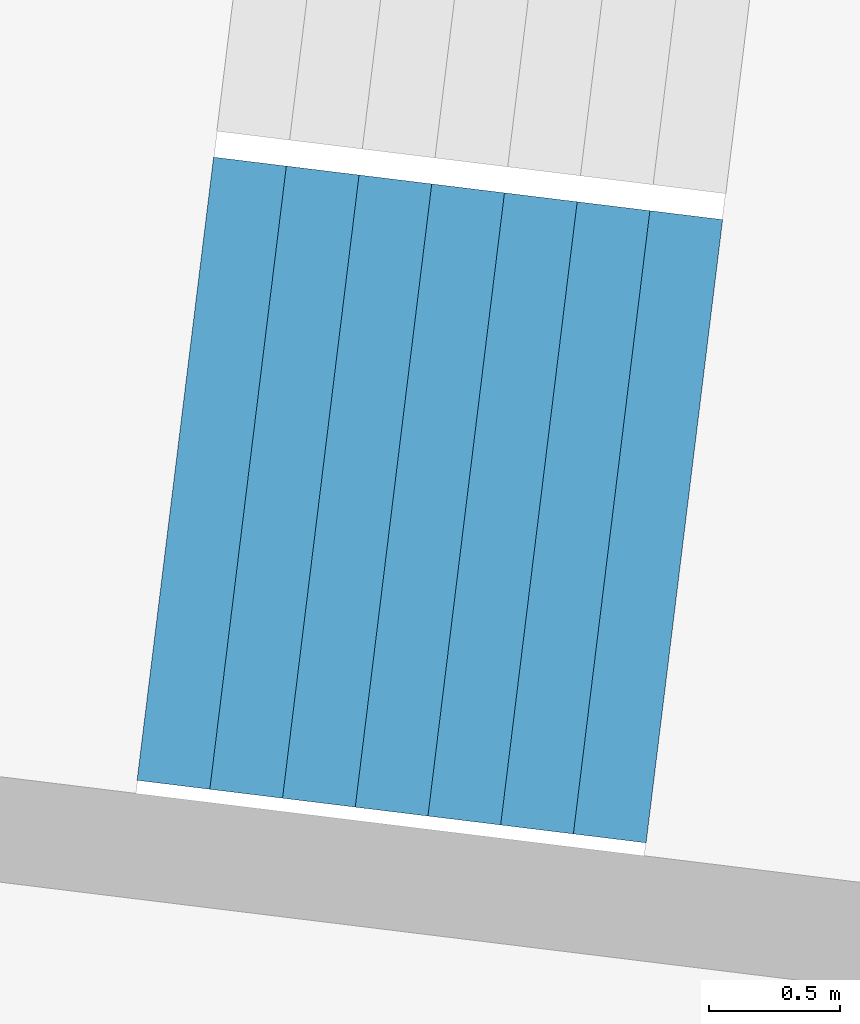
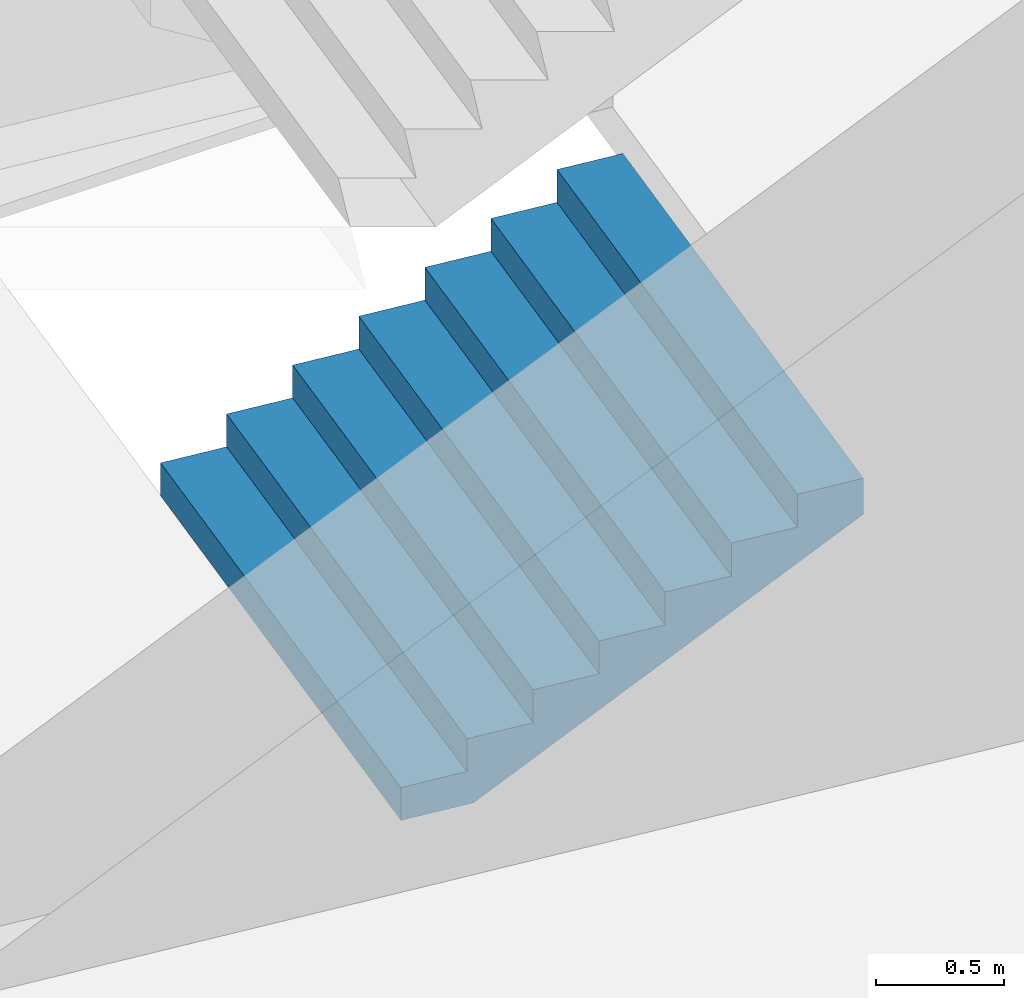
# One storey, part 53 of 73: 1 stair flight, 1 element without a shape of its own.
"""IFC4 building model written with IfcOpenShell, lengths in metres."""

from ifc_helpers import new_model, si_unit, direction, frame, origin, place, context, subcontext, project, spatial, triangles, material, type_object, element, aggregate, save


model = new_model("IFC4")

# Units and contexts
model_context = context("Model", 3, precision=1e-05, world=origin(), true_north=direction((0.0, 1.0)))
body_context = subcontext(model_context, "Body", "Model", "MODEL_VIEW")
ifc_project = project(units=[si_unit("LENGTHUNIT", "METRE"), si_unit("AREAUNIT", "SQUARE_METRE"), si_unit("VOLUMEUNIT", "CUBIC_METRE"), si_unit("PLANEANGLEUNIT", "RADIAN"), si_unit("MASSUNIT", "GRAM", prefix="KILO")], contexts=[model_context])

# Site, building, storey
site_placement = place(None, origin())
site = spatial("IfcSite", under=ifc_project, at=site_placement, CompositionType="ELEMENT")
building_placement = place(site_placement, origin())
building = spatial("IfcBuilding", under=site, at=building_placement, Name="Lantaw Convention Tower", CompositionType="ELEMENT")
storey_placement = place(building_placement, frame((0.0, 0.0, 27.0)))
storey = spatial("IfcBuildingStorey", under=building, at=storey_placement, Name="L04", CompositionType="ELEMENT", Elevation=27.0)

# Stair, stair flight
ifc_material = material(Name="Concrete C35/45", Category="concrete")
stair_type = type_object("IfcStairType", Name="Exit stair 2400 riser 156.25 in 4 flights", PredefinedType="HALF_TURN_STAIR", material=ifc_material)
stair_placement = place(storey_placement, origin())
stair = element("IfcStair", 1, at=stair_placement, inside=storey, type_object=stair_type, Name="Podium exit stair P13 L04", PredefinedType="HALF_TURN_STAIR")
stair_flight_type = type_object("IfcStairFlightType", Name="Stair flight 2400 riser 156.25", PredefinedType="STRAIGHT", material=ifc_material)
stair_flight_placement = place(storey_placement, frame((34.857421875, -5.539306640625, 0.0), z_axis=(0.0, 0.0, 1.0), x_axis=(0.992546151641, -0.121869343405, 0.0)))
stair_flight = element("IfcStairFlight", 2, at=stair_flight_placement, type_object=stair_flight_type, Name="P13 flight 1", NumberOfRisers=8, NumberOfTreads=7, PredefinedType="STRAIGHT", RiserHeight=0.15625, TreadLength=0.28, context=body_context, shape_type="Tessellation", body=[
    triangles([(0.0, 1.199951171875, 0.0), (0.0, 1.199951171875, 0.15625), (0.28, 1.199951171875, 0.0), (0.28, 1.199951171875, 0.15625), (0.28, 1.199951171875, 0.3125), (0.3076200632058044, 1.199951171875, 0.0), (0.3076200632058044, 1.199951171875, 0.3125), (0.56, 1.199951171875, 0.14083701830033238), (0.56, 1.199951171875, 0.3125), (0.56, 1.199951171875, 0.46875), (0.8400000000000001, 1.199951171875, 0.29708701830033235), (0.8400000000000001, 1.199951171875, 0.46875), (0.8400000000000001, 1.199951171875, 0.625), (1.12, 1.199951171875, 0.45333701830033235), (1.12, 1.199951171875, 0.625), (1.12, 1.199951171875, 0.78125), (1.4000000000000001, 1.199951171875, 0.6095870183003324), (1.4000000000000001, 1.199951171875, 0.78125), (1.4000000000000001, 1.199951171875, 0.9375), (1.6800000000000002, 1.199951171875, 0.7658370183003324), (1.6800000000000002, 1.199951171875, 0.9375), (1.6800000000000002, 1.199951171875, 1.09375), (1.9600000000000002, 1.199951171875, 0.9220870183003324), (1.9600000000000002, 1.199951171875, 1.09375), (0.0, -1.199951171875, 0.0), (0.0, -1.199951171875, 0.15625), (0.28, -1.199951171875, 0.0), (0.28, -1.199951171875, 0.15625), (0.28, -1.199951171875, 0.3125), (0.3076200632058044, -1.199951171875, 0.0), (0.3076200632058044, -1.199951171875, 0.3125), (0.56, -1.199951171875, 0.14083701830033238), (0.56, -1.199951171875, 0.3125), (0.56, -1.199951171875, 0.46875), (0.8400000000000001, -1.199951171875, 0.29708701830033235), (0.8400000000000001, -1.199951171875, 0.46875), (0.8400000000000001, -1.199951171875, 0.625), (1.12, -1.199951171875, 0.45333701830033235), (1.12, -1.199951171875, 0.625), (1.12, -1.199951171875, 0.78125), (1.4000000000000001, -1.199951171875, 0.6095870183003324), (1.4000000000000001, -1.199951171875, 0.78125), (1.4000000000000001, -1.199951171875, 0.9375), (1.6800000000000002, -1.199951171875, 0.7658370183003324), (1.6800000000000002, -1.199951171875, 0.9375), (1.6800000000000002, -1.199951171875, 1.09375), (1.9600000000000002, -1.199951171875, 0.9220870183003324), (1.9600000000000002, -1.199951171875, 1.09375), (0.0, 0.239990234375, 0.15625), (0.0, 0.239990234375, 0.0), (0.0, 0.1919921875, 0.15625), (0.0, 0.1919921875, 0.0), (0.0, 0.143994140625, 0.15625), (0.0, 0.143994140625, 0.0), (0.0, 0.09599609375, 0.15625), (0.0, 0.09599609375, 0.0), (0.0, 0.047998046875, 0.15625), (0.0, 0.047998046875, 0.0), (0.0, 0.0, 0.15625), (0.0, 0.0, 0.0), (0.0, -0.047998046875, 0.15625), (0.0, -0.047998046875, 0.0), (0.0, -0.09599609375, 0.15625), (0.0, -0.09599609375, 0.0), (0.0, -0.143994140625, 0.15625), (0.0, -0.143994140625, 0.0), (0.0, -0.1919921875, 0.15625), (0.0, -0.1919921875, 0.0), (0.0, -0.239990234375, 0.15625), (0.0, -0.239990234375, 0.0), (0.28, 0.239990234375, 0.3125), (0.28, 0.239990234375, 0.15625), (0.28, 0.1919921875, 0.3125), (0.28, 0.1919921875, 0.15625), (0.28, 0.143994140625, 0.3125), (0.28, 0.143994140625, 0.15625), (0.28, 0.09599609375, 0.3125), (0.28, 0.09599609375, 0.15625), (0.28, 0.047998046875, 0.3125), (0.28, 0.047998046875, 0.15625), (0.28, 0.0, 0.3125), (0.28, 0.0, 0.15625), (0.28, -0.047998046875, 0.3125), (0.28, -0.047998046875, 0.15625), (0.28, -0.09599609375, 0.3125), (0.28, -0.09599609375, 0.15625), (0.28, -0.143994140625, 0.3125), (0.28, -0.143994140625, 0.15625), (0.28, -0.1919921875, 0.3125), (0.28, -0.1919921875, 0.15625), (0.28, -0.239990234375, 0.3125), (0.28, -0.239990234375, 0.15625), (0.56, 0.239990234375, 0.46875), (0.56, 0.239990234375, 0.3125), (0.56, 0.1919921875, 0.46875), (0.56, 0.1919921875, 0.3125), (0.56, 0.143994140625, 0.46875), (0.56, 0.143994140625, 0.3125), (0.56, 0.09599609375, 0.46875), (0.56, 0.09599609375, 0.3125), (0.56, 0.047998046875, 0.46875), (0.56, 0.047998046875, 0.3125), (0.56, 0.0, 0.46875), (0.56, 0.0, 0.3125), (0.56, -0.047998046875, 0.46875), (0.56, -0.047998046875, 0.3125), (0.56, -0.09599609375, 0.46875), (0.56, -0.09599609375, 0.3125), (0.56, -0.143994140625, 0.46875), (0.56, -0.143994140625, 0.3125), (0.56, -0.1919921875, 0.46875), (0.56, -0.1919921875, 0.3125), (0.56, -0.239990234375, 0.46875), (0.56, -0.239990234375, 0.3125), (0.8400000000000001, 0.239990234375, 0.625), (0.8400000000000001, 0.239990234375, 0.46875), (0.8400000000000001, 0.1919921875, 0.625), (0.8400000000000001, 0.1919921875, 0.46875), (0.8400000000000001, 0.143994140625, 0.625), (0.8400000000000001, 0.143994140625, 0.46875), (0.8400000000000001, 0.09599609375, 0.625), (0.8400000000000001, 0.09599609375, 0.46875), (0.8400000000000001, 0.047998046875, 0.625), (0.8400000000000001, 0.047998046875, 0.46875), (0.8400000000000001, 0.0, 0.625), (0.8400000000000001, 0.0, 0.46875), (0.8400000000000001, -0.047998046875, 0.625), (0.8400000000000001, -0.047998046875, 0.46875), (0.8400000000000001, -0.09599609375, 0.625), (0.8400000000000001, -0.09599609375, 0.46875), (0.8400000000000001, -0.143994140625, 0.625), (0.8400000000000001, -0.143994140625, 0.46875), (0.8400000000000001, -0.1919921875, 0.625), (0.8400000000000001, -0.1919921875, 0.46875), (0.8400000000000001, -0.239990234375, 0.625), (0.8400000000000001, -0.239990234375, 0.46875), (1.12, 0.239990234375, 0.78125), (1.12, 0.239990234375, 0.625), (1.12, 0.1919921875, 0.78125), (1.12, 0.1919921875, 0.625), (1.12, 0.143994140625, 0.78125), (1.12, 0.143994140625, 0.625), (1.12, 0.09599609375, 0.78125), (1.12, 0.09599609375, 0.625), (1.12, 0.047998046875, 0.78125), (1.12, 0.047998046875, 0.625), (1.12, 0.0, 0.78125), (1.12, 0.0, 0.625), (1.12, -0.047998046875, 0.78125), (1.12, -0.047998046875, 0.625), (1.12, -0.09599609375, 0.78125), (1.12, -0.09599609375, 0.625), (1.12, -0.143994140625, 0.78125), (1.12, -0.143994140625, 0.625), (1.12, -0.1919921875, 0.78125), (1.12, -0.1919921875, 0.625), (1.12, -0.239990234375, 0.78125), (1.12, -0.239990234375, 0.625), (1.4000000000000001, 0.239990234375, 0.9375), (1.4000000000000001, 0.239990234375, 0.78125), (1.4000000000000001, 0.1919921875, 0.9375), (1.4000000000000001, 0.1919921875, 0.78125), (1.4000000000000001, 0.143994140625, 0.9375), (1.4000000000000001, 0.143994140625, 0.78125), (1.4000000000000001, 0.09599609375, 0.9375), (1.4000000000000001, 0.09599609375, 0.78125), (1.4000000000000001, 0.047998046875, 0.9375), (1.4000000000000001, 0.047998046875, 0.78125), (1.4000000000000001, 0.0, 0.9375), (1.4000000000000001, 0.0, 0.78125), (1.4000000000000001, -0.047998046875, 0.9375), (1.4000000000000001, -0.047998046875, 0.78125), (1.4000000000000001, -0.09599609375, 0.9375), (1.4000000000000001, -0.09599609375, 0.78125), (1.4000000000000001, -0.143994140625, 0.9375), (1.4000000000000001, -0.143994140625, 0.78125), (1.4000000000000001, -0.1919921875, 0.9375), (1.4000000000000001, -0.1919921875, 0.78125), (1.4000000000000001, -0.239990234375, 0.9375), (1.4000000000000001, -0.239990234375, 0.78125), (1.6800000000000002, 0.239990234375, 1.09375), (1.6800000000000002, 0.239990234375, 0.9375), (1.6800000000000002, 0.1919921875, 1.09375), (1.6800000000000002, 0.1919921875, 0.9375), (1.6800000000000002, 0.143994140625, 1.09375), (1.6800000000000002, 0.143994140625, 0.9375), (1.6800000000000002, 0.09599609375, 1.09375), (1.6800000000000002, 0.09599609375, 0.9375), (1.6800000000000002, 0.047998046875, 1.09375), (1.6800000000000002, 0.047998046875, 0.9375), (1.6800000000000002, 0.0, 1.09375), (1.6800000000000002, 0.0, 0.9375), (1.6800000000000002, -0.047998046875, 1.09375), (1.6800000000000002, -0.047998046875, 0.9375), (1.6800000000000002, -0.09599609375, 1.09375), (1.6800000000000002, -0.09599609375, 0.9375), (1.6800000000000002, -0.143994140625, 1.09375), (1.6800000000000002, -0.143994140625, 0.9375), (1.6800000000000002, -0.1919921875, 1.09375), (1.6800000000000002, -0.1919921875, 0.9375), (1.6800000000000002, -0.239990234375, 1.09375), (1.6800000000000002, -0.239990234375, 0.9375), (0.3076200632058044, 0.239990234375, 0.3125), (0.3076200632058044, 0.1919921875, 0.3125), (0.3076200632058044, 0.143994140625, 0.3125), (0.3076200632058044, 0.09599609375, 0.3125), (0.3076200632058044, 0.047998046875, 0.3125), (0.3076200632058044, 0.0, 0.3125), (0.3076200632058044, -0.047998046875, 0.3125), (0.3076200632058044, -0.09599609375, 0.3125), (0.3076200632058044, -0.143994140625, 0.3125), (0.3076200632058044, -0.1919921875, 0.3125), (0.3076200632058044, -0.239990234375, 0.3125), (1.9600000000000002, 0.239990234375, 1.09375), (1.9600000000000002, 0.1919921875, 1.09375), (1.9600000000000002, 0.143994140625, 1.09375), (1.9600000000000002, 0.09599609375, 1.09375), (1.9600000000000002, 0.047998046875, 1.09375), (1.9600000000000002, 0.0, 1.09375), (1.9600000000000002, -0.047998046875, 1.09375), (1.9600000000000002, -0.09599609375, 1.09375), (1.9600000000000002, -0.143994140625, 1.09375), (1.9600000000000002, -0.1919921875, 1.09375), (1.9600000000000002, -0.239990234375, 1.09375), (1.9600000000000002, 0.239990234375, 0.9220870183003324), (1.9600000000000002, 0.1919921875, 0.9220870183003324), (1.9600000000000002, 0.143994140625, 0.9220870183003324), (1.9600000000000002, 0.09599609375, 0.9220870183003324), (1.9600000000000002, 0.047998046875, 0.9220870183003324), (1.9600000000000002, 0.0, 0.9220870183003324), (1.9600000000000002, -0.047998046875, 0.9220870183003324), (1.9600000000000002, -0.09599609375, 0.9220870183003324), (1.9600000000000002, -0.143994140625, 0.9220870183003324), (1.9600000000000002, -0.1919921875, 0.9220870183003324), (1.9600000000000002, -0.239990234375, 0.9220870183003324), (1.6800000000000002, 0.239990234375, 0.7658370183003324), (1.6800000000000002, 0.1919921875, 0.7658370183003324), (1.6800000000000002, 0.143994140625, 0.7658370183003324), (1.6800000000000002, 0.09599609375, 0.7658370183003324), (1.6800000000000002, 0.047998046875, 0.7658370183003324), (1.6800000000000002, 0.0, 0.7658370183003324), (1.6800000000000002, -0.047998046875, 0.7658370183003324), (1.6800000000000002, -0.09599609375, 0.7658370183003324), (1.6800000000000002, -0.143994140625, 0.7658370183003324), (1.6800000000000002, -0.1919921875, 0.7658370183003324), (1.6800000000000002, -0.239990234375, 0.7658370183003324), (1.4000000000000001, 0.239990234375, 0.6095870183003324), (1.4000000000000001, 0.1919921875, 0.6095870183003324), (1.4000000000000001, 0.143994140625, 0.6095870183003324), (1.4000000000000001, 0.09599609375, 0.6095870183003324), (1.4000000000000001, 0.047998046875, 0.6095870183003324), (1.4000000000000001, 0.0, 0.6095870183003324), (1.4000000000000001, -0.047998046875, 0.6095870183003324), (1.4000000000000001, -0.09599609375, 0.6095870183003324), (1.4000000000000001, -0.143994140625, 0.6095870183003324), (1.4000000000000001, -0.1919921875, 0.6095870183003324), (1.4000000000000001, -0.239990234375, 0.6095870183003324), (1.12, 0.239990234375, 0.45333701830033235), (1.12, 0.1919921875, 0.45333701830033235), (1.12, 0.143994140625, 0.45333701830033235), (1.12, 0.09599609375, 0.45333701830033235), (1.12, 0.047998046875, 0.45333701830033235), (1.12, 0.0, 0.45333701830033235), (1.12, -0.047998046875, 0.45333701830033235), (1.12, -0.09599609375, 0.45333701830033235), (1.12, -0.143994140625, 0.45333701830033235), (1.12, -0.1919921875, 0.45333701830033235), (1.12, -0.239990234375, 0.45333701830033235), (0.8400000000000001, 0.239990234375, 0.29708701830033235), (0.8400000000000001, 0.1919921875, 0.29708701830033235), (0.8400000000000001, 0.143994140625, 0.29708701830033235), (0.8400000000000001, 0.09599609375, 0.29708701830033235), (0.8400000000000001, 0.047998046875, 0.29708701830033235), (0.8400000000000001, 0.0, 0.29708701830033235), (0.8400000000000001, -0.047998046875, 0.29708701830033235), (0.8400000000000001, -0.09599609375, 0.29708701830033235), (0.8400000000000001, -0.143994140625, 0.29708701830033235), (0.8400000000000001, -0.1919921875, 0.29708701830033235), (0.8400000000000001, -0.239990234375, 0.29708701830033235), (0.56, 0.239990234375, 0.14083701830033238), (0.56, 0.1919921875, 0.14083701830033238), (0.56, 0.143994140625, 0.14083701830033238), (0.56, 0.09599609375, 0.14083701830033238), (0.56, 0.047998046875, 0.14083701830033238), (0.56, 0.0, 0.14083701830033238), (0.56, -0.047998046875, 0.14083701830033238), (0.56, -0.09599609375, 0.14083701830033238), (0.56, -0.143994140625, 0.14083701830033238), (0.56, -0.1919921875, 0.14083701830033238), (0.56, -0.239990234375, 0.14083701830033238), (0.3076200632058044, 0.239990234375, 0.0), (0.3076200632058044, 0.1919921875, 0.0), (0.3076200632058044, 0.143994140625, 0.0), (0.3076200632058044, 0.09599609375, 0.0), (0.3076200632058044, 0.047998046875, 0.0), (0.3076200632058044, 0.0, 0.0), (0.3076200632058044, -0.047998046875, 0.0), (0.3076200632058044, -0.09599609375, 0.0), (0.3076200632058044, -0.143994140625, 0.0), (0.3076200632058044, -0.1919921875, 0.0), (0.3076200632058044, -0.239990234375, 0.0), (0.28, 0.239990234375, 0.0), (0.28, 0.1919921875, 0.0), (0.28, 0.143994140625, 0.0), (0.28, 0.09599609375, 0.0), (0.28, 0.047998046875, 0.0), (0.28, 0.0, 0.0), (0.28, -0.047998046875, 0.0), (0.28, -0.09599609375, 0.0), (0.28, -0.143994140625, 0.0), (0.28, -0.1919921875, 0.0), (0.28, -0.239990234375, 0.0)], [[1, 4, 3], [1, 2, 4], [3, 4, 6], [4, 7, 6], [4, 5, 7], [6, 9, 8], [6, 7, 9], [8, 9, 11], [9, 12, 11], [9, 10, 12], [11, 12, 14], [12, 15, 14], [12, 13, 15], [14, 15, 17], [15, 18, 17], [15, 16, 18], [17, 18, 20], [18, 21, 20], [18, 19, 21], [20, 21, 23], [21, 24, 23], [21, 22, 24], [25, 27, 28], [25, 28, 26], [27, 30, 28], [28, 30, 31], [28, 31, 29], [30, 32, 33], [30, 33, 31], [32, 35, 33], [33, 35, 36], [33, 36, 34], [35, 38, 36], [36, 38, 39], [36, 39, 37], [38, 41, 39], [39, 41, 42], [39, 42, 40], [41, 44, 42], [42, 44, 45], [42, 45, 43], [44, 47, 45], [45, 47, 48], [45, 48, 46], [1, 49, 2], [1, 50, 49], [50, 51, 49], [50, 52, 51], [52, 53, 51], [52, 54, 53], [54, 55, 53], [54, 56, 55], [56, 57, 55], [56, 58, 57], [58, 59, 57], [58, 60, 59], [60, 61, 59], [60, 62, 61], [62, 63, 61], [62, 64, 63], [64, 65, 63], [64, 66, 65], [66, 67, 65], [66, 68, 67], [68, 69, 67], [68, 70, 69], [70, 26, 69], [70, 25, 26], [4, 71, 5], [4, 72, 71], [72, 73, 71], [72, 74, 73], [74, 75, 73], [74, 76, 75], [76, 77, 75], [76, 78, 77], [78, 79, 77], [78, 80, 79], [80, 81, 79], [80, 82, 81], [82, 83, 81], [82, 84, 83], [84, 85, 83], [84, 86, 85], [86, 87, 85], [86, 88, 87], [88, 89, 87], [88, 90, 89], [90, 91, 89], [90, 92, 91], [92, 29, 91], [92, 28, 29], [9, 93, 10], [9, 94, 93], [94, 95, 93], [94, 96, 95], [96, 97, 95], [96, 98, 97], [98, 99, 97], [98, 100, 99], [100, 101, 99], [100, 102, 101], [102, 103, 101], [102, 104, 103], [104, 105, 103], [104, 106, 105], [106, 107, 105], [106, 108, 107], [108, 109, 107], [108, 110, 109], [110, 111, 109], [110, 112, 111], [112, 113, 111], [112, 114, 113], [114, 34, 113], [114, 33, 34], [12, 115, 13], [12, 116, 115], [116, 117, 115], [116, 118, 117], [118, 119, 117], [118, 120, 119], [120, 121, 119], [120, 122, 121], [122, 123, 121], [122, 124, 123], [124, 125, 123], [124, 126, 125], [126, 127, 125], [126, 128, 127], [128, 129, 127], [128, 130, 129], [130, 131, 129], [130, 132, 131], [132, 133, 131], [132, 134, 133], [134, 135, 133], [134, 136, 135], [136, 37, 135], [136, 36, 37], [15, 137, 16], [15, 138, 137], [138, 139, 137], [138, 140, 139], [140, 141, 139], [140, 142, 141], [142, 143, 141], [142, 144, 143], [144, 145, 143], [144, 146, 145], [146, 147, 145], [146, 148, 147], [148, 149, 147], [148, 150, 149], [150, 151, 149], [150, 152, 151], [152, 153, 151], [152, 154, 153], [154, 155, 153], [154, 156, 155], [156, 157, 155], [156, 158, 157], [158, 40, 157], [158, 39, 40], [18, 159, 19], [18, 160, 159], [160, 161, 159], [160, 162, 161], [162, 163, 161], [162, 164, 163], [164, 165, 163], [164, 166, 165], [166, 167, 165], [166, 168, 167], [168, 169, 167], [168, 170, 169], [170, 171, 169], [170, 172, 171], [172, 173, 171], [172, 174, 173], [174, 175, 173], [174, 176, 175], [176, 177, 175], [176, 178, 177], [178, 179, 177], [178, 180, 179], [180, 43, 179], [180, 42, 43], [21, 181, 22], [21, 182, 181], [182, 183, 181], [182, 184, 183], [184, 185, 183], [184, 186, 185], [186, 187, 185], [186, 188, 187], [188, 189, 187], [188, 190, 189], [190, 191, 189], [190, 192, 191], [192, 193, 191], [192, 194, 193], [194, 195, 193], [194, 196, 195], [196, 197, 195], [196, 198, 197], [198, 199, 197], [198, 200, 199], [200, 201, 199], [200, 202, 201], [202, 46, 201], [202, 45, 46], [2, 72, 4], [2, 49, 72], [49, 74, 72], [49, 51, 74], [51, 76, 74], [51, 53, 76], [53, 78, 76], [53, 55, 78], [55, 80, 78], [55, 57, 80], [57, 82, 80], [57, 59, 82], [59, 84, 82], [59, 61, 84], [61, 86, 84], [61, 63, 86], [63, 88, 86], [63, 65, 88], [65, 90, 88], [65, 67, 90], [67, 92, 90], [67, 69, 92], [69, 28, 92], [69, 26, 28], [5, 203, 7], [5, 71, 203], [71, 204, 203], [71, 73, 204], [73, 205, 204], [73, 75, 205], [75, 206, 205], [75, 77, 206], [77, 207, 206], [77, 79, 207], [79, 208, 207], [79, 81, 208], [81, 209, 208], [81, 83, 209], [83, 210, 209], [83, 85, 210], [85, 211, 210], [85, 87, 211], [87, 212, 211], [87, 89, 212], [89, 213, 212], [89, 91, 213], [91, 31, 213], [91, 29, 31], [7, 94, 9], [7, 203, 94], [203, 96, 94], [203, 204, 96], [204, 98, 96], [204, 205, 98], [205, 100, 98], [205, 206, 100], [206, 102, 100], [206, 207, 102], [207, 104, 102], [207, 208, 104], [208, 106, 104], [208, 209, 106], [209, 108, 106], [209, 210, 108], [210, 110, 108], [210, 211, 110], [211, 112, 110], [211, 212, 112], [212, 114, 112], [212, 213, 114], [213, 33, 114], [213, 31, 33], [10, 116, 12], [10, 93, 116], [93, 118, 116], [93, 95, 118], [95, 120, 118], [95, 97, 120], [97, 122, 120], [97, 99, 122], [99, 124, 122], [99, 101, 124], [101, 126, 124], [101, 103, 126], [103, 128, 126], [103, 105, 128], [105, 130, 128], [105, 107, 130], [107, 132, 130], [107, 109, 132], [109, 134, 132], [109, 111, 134], [111, 136, 134], [111, 113, 136], [113, 36, 136], [113, 34, 36], [13, 138, 15], [13, 115, 138], [115, 140, 138], [115, 117, 140], [117, 142, 140], [117, 119, 142], [119, 144, 142], [119, 121, 144], [121, 146, 144], [121, 123, 146], [123, 148, 146], [123, 125, 148], [125, 150, 148], [125, 127, 150], [127, 152, 150], [127, 129, 152], [129, 154, 152], [129, 131, 154], [131, 156, 154], [131, 133, 156], [133, 158, 156], [133, 135, 158], [135, 39, 158], [135, 37, 39], [16, 160, 18], [16, 137, 160], [137, 162, 160], [137, 139, 162], [139, 164, 162], [139, 141, 164], [141, 166, 164], [141, 143, 166], [143, 168, 166], [143, 145, 168], [145, 170, 168], [145, 147, 170], [147, 172, 170], [147, 149, 172], [149, 174, 172], [149, 151, 174], [151, 176, 174], [151, 153, 176], [153, 178, 176], [153, 155, 178], [155, 180, 178], [155, 157, 180], [157, 42, 180], [157, 40, 42], [19, 182, 21], [19, 159, 182], [159, 184, 182], [159, 161, 184], [161, 186, 184], [161, 163, 186], [163, 188, 186], [163, 165, 188], [165, 190, 188], [165, 167, 190], [167, 192, 190], [167, 169, 192], [169, 194, 192], [169, 171, 194], [171, 196, 194], [171, 173, 196], [173, 198, 196], [173, 175, 198], [175, 200, 198], [175, 177, 200], [177, 202, 200], [177, 179, 202], [179, 45, 202], [179, 43, 45], [22, 214, 24], [22, 181, 214], [181, 215, 214], [181, 183, 215], [183, 216, 215], [183, 185, 216], [185, 217, 216], [185, 187, 217], [187, 218, 217], [187, 189, 218], [189, 219, 218], [189, 191, 219], [191, 220, 219], [191, 193, 220], [193, 221, 220], [193, 195, 221], [195, 222, 221], [195, 197, 222], [197, 223, 222], [197, 199, 223], [199, 224, 223], [199, 201, 224], [201, 48, 224], [201, 46, 48], [24, 225, 23], [24, 214, 225], [214, 226, 225], [214, 215, 226], [215, 227, 226], [215, 216, 227], [216, 228, 227], [216, 217, 228], [217, 229, 228], [217, 218, 229], [218, 230, 229], [218, 219, 230], [219, 231, 230], [219, 220, 231], [220, 232, 231], [220, 221, 232], [221, 233, 232], [221, 222, 233], [222, 234, 233], [222, 223, 234], [223, 235, 234], [223, 224, 235], [224, 47, 235], [224, 48, 47], [23, 236, 20], [23, 225, 236], [225, 237, 236], [225, 226, 237], [226, 238, 237], [226, 227, 238], [227, 239, 238], [227, 228, 239], [228, 240, 239], [228, 229, 240], [229, 241, 240], [229, 230, 241], [230, 242, 241], [230, 231, 242], [231, 243, 242], [231, 232, 243], [232, 244, 243], [232, 233, 244], [233, 245, 244], [233, 234, 245], [234, 246, 245], [234, 235, 246], [235, 44, 246], [235, 47, 44], [20, 247, 17], [20, 236, 247], [236, 248, 247], [236, 237, 248], [237, 249, 248], [237, 238, 249], [238, 250, 249], [238, 239, 250], [239, 251, 250], [239, 240, 251], [240, 252, 251], [240, 241, 252], [241, 253, 252], [241, 242, 253], [242, 254, 253], [242, 243, 254], [243, 255, 254], [243, 244, 255], [244, 256, 255], [244, 245, 256], [245, 257, 256], [245, 246, 257], [246, 41, 257], [246, 44, 41], [17, 258, 14], [17, 247, 258], [247, 259, 258], [247, 248, 259], [248, 260, 259], [248, 249, 260], [249, 261, 260], [249, 250, 261], [250, 262, 261], [250, 251, 262], [251, 263, 262], [251, 252, 263], [252, 264, 263], [252, 253, 264], [253, 265, 264], [253, 254, 265], [254, 266, 265], [254, 255, 266], [255, 267, 266], [255, 256, 267], [256, 268, 267], [256, 257, 268], [257, 38, 268], [257, 41, 38], [14, 269, 11], [14, 258, 269], [258, 270, 269], [258, 259, 270], [259, 271, 270], [259, 260, 271], [260, 272, 271], [260, 261, 272], [261, 273, 272], [261, 262, 273], [262, 274, 273], [262, 263, 274], [263, 275, 274], [263, 264, 275], [264, 276, 275], [264, 265, 276], [265, 277, 276], [265, 266, 277], [266, 278, 277], [266, 267, 278], [267, 279, 278], [267, 268, 279], [268, 35, 279], [268, 38, 35], [11, 280, 8], [11, 269, 280], [269, 281, 280], [269, 270, 281], [270, 282, 281], [270, 271, 282], [271, 283, 282], [271, 272, 283], [272, 284, 283], [272, 273, 284], [273, 285, 284], [273, 274, 285], [274, 286, 285], [274, 275, 286], [275, 287, 286], [275, 276, 287], [276, 288, 287], [276, 277, 288], [277, 289, 288], [277, 278, 289], [278, 290, 289], [278, 279, 290], [279, 32, 290], [279, 35, 32], [8, 291, 6], [8, 280, 291], [280, 292, 291], [280, 281, 292], [281, 293, 292], [281, 282, 293], [282, 294, 293], [282, 283, 294], [283, 295, 294], [283, 284, 295], [284, 296, 295], [284, 285, 296], [285, 297, 296], [285, 286, 297], [286, 298, 297], [286, 287, 298], [287, 299, 298], [287, 288, 299], [288, 300, 299], [288, 289, 300], [289, 301, 300], [289, 290, 301], [290, 30, 301], [290, 32, 30], [6, 302, 3], [6, 291, 302], [291, 303, 302], [291, 292, 303], [292, 304, 303], [292, 293, 304], [293, 305, 304], [293, 294, 305], [294, 306, 305], [294, 295, 306], [295, 307, 306], [295, 296, 307], [296, 308, 307], [296, 297, 308], [297, 309, 308], [297, 298, 309], [298, 310, 309], [298, 299, 310], [299, 311, 310], [299, 300, 311], [300, 312, 311], [300, 301, 312], [301, 27, 312], [301, 30, 27], [3, 50, 1], [3, 302, 50], [302, 52, 50], [302, 303, 52], [303, 54, 52], [303, 304, 54], [304, 56, 54], [304, 305, 56], [305, 58, 56], [305, 306, 58], [306, 60, 58], [306, 307, 60], [307, 62, 60], [307, 308, 62], [308, 64, 62], [308, 309, 64], [309, 66, 64], [309, 310, 66], [310, 68, 66], [310, 311, 68], [311, 70, 68], [311, 312, 70], [312, 25, 70], [312, 27, 25]], closed=True),
])
aggregate(stair, [stair_flight])

save(model, "model.ifc")
